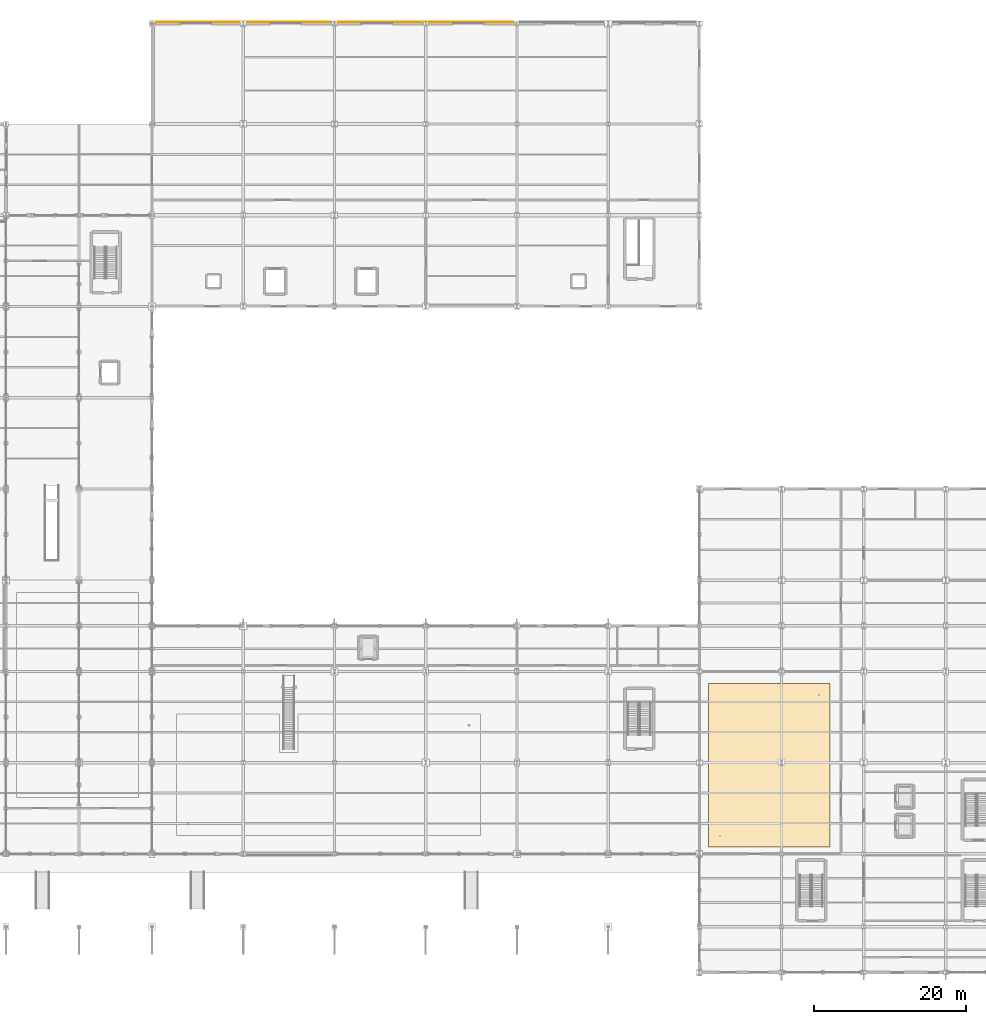
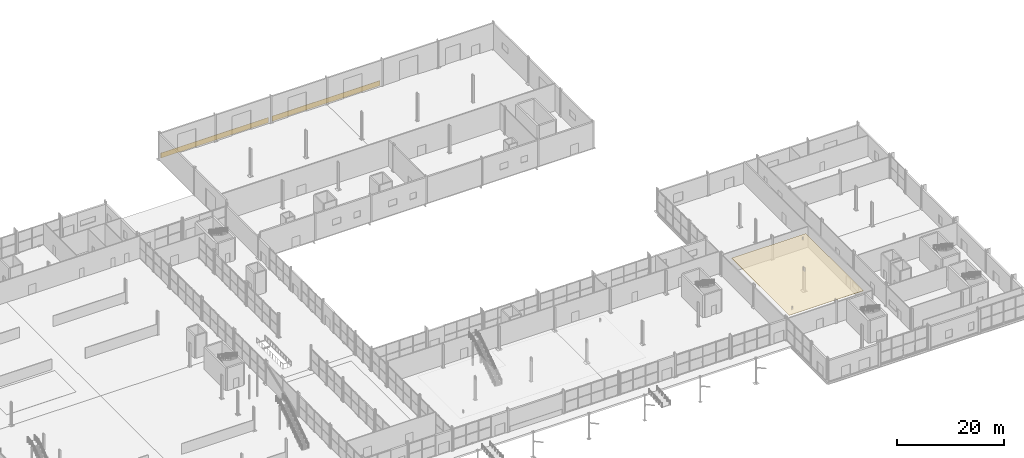
# One storey, part 193 of 196: 3 coverings.
"""IFC4 building model written with IfcOpenShell, lengths in metres."""

from ifc_helpers import new_model, si_unit, direction, frame, origin, place, context, subcontext, project, spatial, polyline, outline, extrude, material, layer, layer_set, type_object, element, save


model = new_model("IFC4")

# Units and contexts
model_context = context("Model", 3, precision=1e-05, world=origin(), true_north=direction((0.0, 1.0)))
body_context = subcontext(model_context, "Body", "Model", "MODEL_VIEW")
ifc_project = project(units=[si_unit("LENGTHUNIT", "METRE"), si_unit("AREAUNIT", "SQUARE_METRE"), si_unit("VOLUMEUNIT", "CUBIC_METRE"), si_unit("PLANEANGLEUNIT", "RADIAN"), si_unit("MASSUNIT", "GRAM", prefix="KILO")], contexts=[model_context])

# Site, building, storey
site_placement = place(None, origin())
site = spatial("IfcSite", under=ifc_project, at=site_placement, CompositionType="ELEMENT")
building_placement = place(site_placement, origin())
building = spatial("IfcBuilding", under=site, at=building_placement, Name="Merenkruunu Market Hall", CompositionType="ELEMENT")
storey_placement = place(building_placement, origin())
storey = spatial("IfcBuildingStorey", under=building, at=storey_placement, Name="L00", CompositionType="ELEMENT", Elevation=0.0)

# Coverings
ifc_material_1 = material(Name="Lacquered Nordic birch", Category="wood")
ifc_layer_1 = layer(ifc_material_1, 0.044921875)
ifc_layer_set_1 = layer_set([ifc_layer_1], Name="Lacquered Nordic birch")
covering_type_1 = type_object("IfcCoveringType", Name="Nordic Birch Acoustic Ceiling CLG01", PredefinedType="CEILING", material=ifc_layer_set_1)
covering_1_placement = place(storey_placement, frame((0.0, 0.0, 4.449951171875)))
element("IfcCovering", 1, at=covering_1_placement, inside=storey, type_object=covering_type_1, Name="COV-CLG-L00-2", PredefinedType="CEILING", context=body_context, shape_type="SweptSolid", body=[
    extrude(outline(polyline([(150.0, 16.5), (150.0, 38.0), (166.0, 38.0), (166.0, 16.5), (150.0, 16.5)])), origin(), (0.0, 0.0, 1.0), 0.045166015625),
])
ifc_material_2 = material(Name="Kuru grey granite", Category="masonry")
ifc_layer_2 = layer(ifc_material_2, 0.070068359375)
ifc_layer_set_2 = layer_set([ifc_layer_2], Name="Kuru grey granite")
covering_type_2 = type_object("IfcCoveringType", Name="Precast Granite Plinth Cladding CLD01", PredefinedType="CLADDING", material=ifc_layer_set_2)
covering_2_placement = place(storey_placement, origin())
element("IfcCovering", 2, at=covering_2_placement, inside=storey, type_object=covering_type_2, Name="CLD-N1", PredefinedType="CLADDING", context=body_context, shape_type="SweptSolid", body=[
    extrude(outline(polyline([(77.199951171875, 124.9599609375), (100.39990234375, 124.9599609375), (100.39990234375, 125.030029296875), (77.199951171875, 125.030029296875), (77.199951171875, 124.9599609375)])), origin(), (0.0, 0.0, 1.0), 1.14990234375),
])
covering_3_placement = place(storey_placement, origin())
element("IfcCovering", 3, at=covering_3_placement, inside=storey, type_object=covering_type_2, Name="CLD-N2", PredefinedType="CLADDING", context=body_context, shape_type="SweptSolid", body=[
    extrude(outline(polyline([(101.199951171875, 124.9599609375), (124.39990234375, 124.9599609375), (124.39990234375, 125.030029296875), (101.199951171875, 125.030029296875), (101.199951171875, 124.9599609375)])), origin(), (0.0, 0.0, 1.0), 1.14990234375),
])

save(model, "model.ifc")
